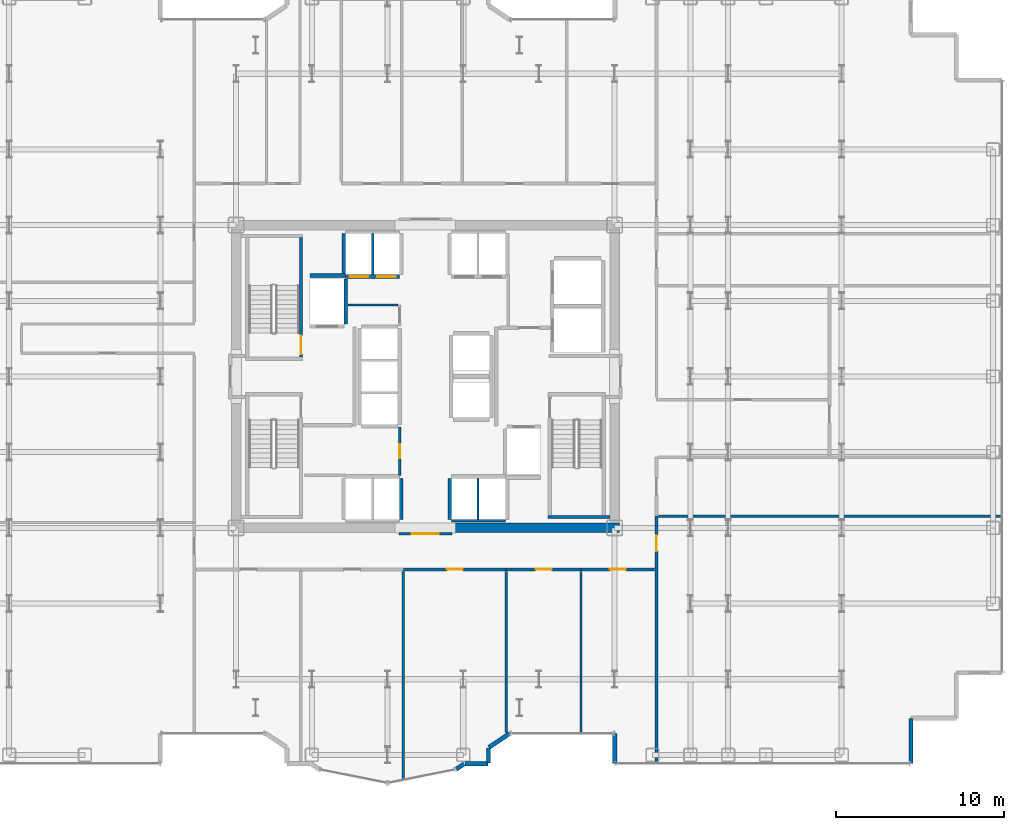
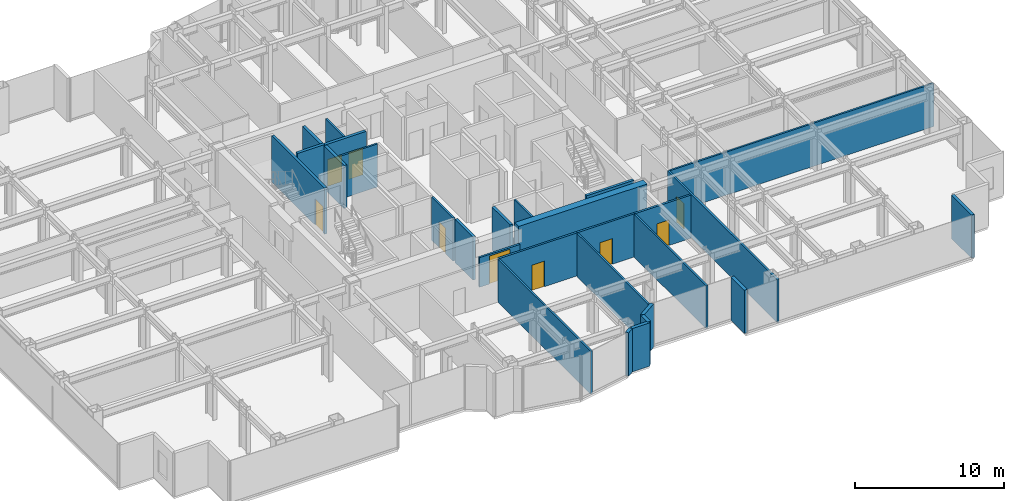
# One storey, part 21 of 26: 29 walls, 9 doors, 9 openings.
"""IFC4 building model written with IfcOpenShell, lengths in metres."""

from ifc_helpers import new_model, si_unit, direction, frame, frame_2d, origin, place, context, subcontext, project, spatial, rectangle, extrude, source, transform, mapped, material, layer, layer_set, type_object, element, fill, save


model = new_model("IFC4")

# Units and contexts
model_context = context("Model", 3, precision=1e-05, world=origin(), true_north=direction((0.0, 1.0)))
body_context = subcontext(model_context, "Body", "Model", "MODEL_VIEW")
ifc_project = project(units=[si_unit("LENGTHUNIT", "METRE"), si_unit("AREAUNIT", "SQUARE_METRE"), si_unit("VOLUMEUNIT", "CUBIC_METRE"), si_unit("PLANEANGLEUNIT", "RADIAN"), si_unit("MASSUNIT", "GRAM", prefix="KILO")], contexts=[model_context])

# Site, building, storey
site_placement = place(None, origin())
site = spatial("IfcSite", under=ifc_project, at=site_placement, CompositionType="ELEMENT")
building_placement = place(site_placement, origin())
building = spatial("IfcBuilding", under=site, at=building_placement, Name="Nefas-Gora Pilgrimage Tower", CompositionType="ELEMENT")
storey_placement = place(building_placement, frame((0.0, 0.0, 128.800048828125)))
storey = spatial("IfcBuildingStorey", under=building, at=storey_placement, Name="L31", CompositionType="ELEMENT", Elevation=128.800048828125)

# Walls
ifc_material_1 = material(Name="Concrete C60/75", Category="concrete")
ifc_layer_1 = layer(ifc_material_1, 0.550048828125)
ifc_layer_set_1 = layer_set([ifc_layer_1], Name="Concrete C60/75")
wall_type_1 = type_object("IfcWallType", Name="SW-CORE-550", PredefinedType="SHEAR", material=ifc_layer_set_1)
shared_shape_1 = source(origin(), body_context, "Body", "SweptSolid", [
    extrude(rectangle(XDim=9.974853515625, YDim=0.550048828125, at=frame_2d((4.9873046875, 0.0))), origin(), (0.0, 0.0, 1.0), 3.800048828125),
])
wall_1_placement = place(storey_placement, frame((1.550048828125, -9.0, 0.0), z_axis=(0.0, 0.0, 1.0), x_axis=(1.0, 0.0, 0.0)))
element("IfcWall", 1, at=wall_1_placement, inside=storey, type_object=wall_type_1, Name="L31 Core Shear Wall S-East", PredefinedType="SHEAR", context=body_context, shape_type="MappedRepresentation", body=[
    mapped(shared_shape_1, transform((0.0, 0.0, 0.0), x_axis=(1.0, 0.0, 0.0), y_axis=(0.0, 1.0, 0.0), z_axis=(0.0, 0.0, 1.0), scale=1.0)),
])
ifc_material_2 = material(Name="Precast concrete C40/50", Category="concrete")
ifc_layer_2 = layer(ifc_material_2, 0.260009765625)
ifc_layer_set_2 = layer_set([ifc_layer_2], Name="Precast concrete C40/50")
wall_type_2 = type_object("IfcWallType", Name="EW-PORTAL-260", PredefinedType="SOLIDWALL", material=ifc_layer_set_2)
shared_shape_2 = source(origin(), body_context, "Body", "SweptSolid", [
    extrude(rectangle(XDim=1.800048828125, YDim=0.260009765625, at=frame_2d((0.89990234375, 0.0))), origin(), (0.0, 0.0, 1.0), 3.550048828125),
])
wall_2_placement = place(storey_placement, frame((11.25, -21.219970703125, 0.0), z_axis=(0.0, 0.0, 1.0), x_axis=(0.0, -1.0, 0.0)))
element("IfcWall", 2, at=wall_2_placement, inside=storey, type_object=wall_type_2, Name="L31 Lobe Shoulder Precast Spandrel Pier 1", PredefinedType="SOLIDWALL", context=body_context, shape_type="MappedRepresentation", body=[
    mapped(shared_shape_2, transform((0.0, 0.0, 0.0), x_axis=(1.0, 0.0, 0.0), y_axis=(0.0, 1.0, 0.0), z_axis=(0.0, 0.0, 1.0), scale=1.0)),
])
ifc_material_3 = material(Name="Precast concrete C45/55", Category="concrete")
ifc_layer_3 = layer(ifc_material_3, 0.239990234375)
ifc_layer_set_3 = layer_set([ifc_layer_3], Name="Precast concrete C45/55")
wall_type_3 = type_object("IfcWallType", Name="EW-SERR-240", PredefinedType="SHEAR", material=ifc_layer_set_3)
shared_shape_3 = source(origin(), body_context, "Body", "SweptSolid", [
    extrude(rectangle(XDim=2.699951171875, YDim=0.239990234375, at=frame_2d((1.35009765625, 0.0))), origin(), (0.0, 0.0, 1.0), 3.550048828125),
])
wall_3_placement = place(storey_placement, frame((28.8701171875, -23.02001953125, 0.0), z_axis=(0.0, 0.0, 1.0), x_axis=(0.0, 1.0, 0.0)))
element("IfcWall", 3, at=wall_3_placement, inside=storey, type_object=wall_type_3, Name="L31 Serrated Corner Shear Pier Wall 2", PredefinedType="SHEAR", context=body_context, shape_type="MappedRepresentation", body=[
    mapped(shared_shape_3, transform((0.0, 0.0, 0.0), x_axis=(1.0, 0.0, 0.0), y_axis=(0.0, 1.0, 0.0), z_axis=(0.0, 0.0, 1.0), scale=1.0)),
])
shared_shape_4 = source(origin(), body_context, "Body", "SweptSolid", [
    extrude(rectangle(XDim=1.468994140625, YDim=0.260009765625, at=frame_2d((0.734375, 0.0))), origin(), (0.0, 0.0, 1.0), 3.550048828125),
])
wall_4_placement = place(storey_placement, frame((3.773193359375, -22.0517578125, 0.0), z_axis=(0.0, 0.0, 1.0), x_axis=(0.831461760506, 0.555581983884, 0.0)))
element("IfcWall", 4, at=wall_4_placement, inside=storey, type_object=wall_type_2, Name="L31 Lobe Shoulder Precast Spandrel Pier 36", PredefinedType="SOLIDWALL", context=body_context, shape_type="MappedRepresentation", body=[
    mapped(shared_shape_4, transform((0.0, 0.0, 0.0), x_axis=(1.0, 0.0, 0.0), y_axis=(0.0, 1.0, 0.0), z_axis=(0.0, 0.0, 1.0), scale=1.0)),
])
shared_shape_5 = source(origin(), body_context, "Body", "SweptSolid", [
    extrude(rectangle(XDim=0.896728515625, YDim=0.260009765625, at=frame_2d((0.4482421875, 0.0))), origin(), (0.0, 0.0, 1.0), 3.550048828125),
])
wall_5_placement = place(storey_placement, frame((3.75, -22.991943359375, 0.0), z_axis=(0.0, 0.0, 1.0), x_axis=(0.0, 1.0, 0.0)))
element("IfcWall", 5, at=wall_5_placement, inside=storey, type_object=wall_type_2, Name="L31 Lobe Shoulder Precast Spandrel Pier 35", PredefinedType="SOLIDWALL", context=body_context, shape_type="MappedRepresentation", body=[
    mapped(shared_shape_5, transform((0.0, 0.0, 0.0), x_axis=(1.0, 0.0, 0.0), y_axis=(0.0, 1.0, 0.0), z_axis=(0.0, 0.0, 1.0), scale=1.0)),
])
shared_shape_6 = source(origin(), body_context, "Body", "SweptSolid", [
    extrude(rectangle(XDim=1.369873046875, YDim=0.260009765625, at=frame_2d((0.68505859375, 0.0))), origin(), (0.0, 0.0, 1.0), 3.550048828125),
])
wall_6_placement = place(storey_placement, frame((2.35205078125, -23.02001953125, 0.0), z_axis=(0.0, 0.0, 1.0), x_axis=(1.0, 0.0, 0.0)))
element("IfcWall", 6, at=wall_6_placement, inside=storey, type_object=wall_type_2, Name="L31 Lobe Shoulder Precast Spandrel Pier 34", PredefinedType="SOLIDWALL", context=body_context, shape_type="MappedRepresentation", body=[
    mapped(shared_shape_6, transform((0.0, 0.0, 0.0), x_axis=(1.0, 0.0, 0.0), y_axis=(0.0, 1.0, 0.0), z_axis=(0.0, 0.0, 1.0), scale=1.0)),
])
shared_shape_7 = source(origin(), body_context, "Body", "SweptSolid", [
    extrude(rectangle(XDim=0.5654296875, YDim=0.260009765625, at=frame_2d((0.28271484375, 0.0))), origin(), (0.0, 0.0, 1.0), 3.550048828125),
])
wall_7_placement = place(storey_placement, frame((1.83056640625, -23.349609375, 0.0), z_axis=(0.0, 0.0, 1.0), x_axis=(0.831651492666, 0.555297933317, 0.0)))
element("IfcWall", 7, at=wall_7_placement, inside=storey, type_object=wall_type_2, Name="L31 Lobe Shoulder Precast Spandrel Pier 33", PredefinedType="SOLIDWALL", context=body_context, shape_type="MappedRepresentation", body=[
    mapped(shared_shape_7, transform((0.0, 0.0, 0.0), x_axis=(1.0, 0.0, 0.0), y_axis=(0.0, 1.0, 0.0), z_axis=(0.0, 0.0, 1.0), scale=1.0)),
])

# Wall, opening, door
ifc_material_4 = material(Name="Concrete C45/55", Category="concrete")
ifc_layer_4 = layer(ifc_material_4, 0.199951171875)
ifc_layer_set_4 = layer_set([ifc_layer_4], Name="Concrete C45/55")
wall_type_4 = type_object("IfcWallType", Name="IW-STAIR-200", PredefinedType="SOLIDWALL", material=ifc_layer_set_4)
shared_shape_8 = source(origin(), body_context, "Body", "SweptSolid", [
    extrude(rectangle(XDim=7.10009765625, YDim=0.199951171875, at=frame_2d((3.550048828125, 0.0))), origin(), (0.0, 0.0, 1.0), 3.800048828125),
])
wall_8_placement = place(storey_placement, frame((-7.39990234375, 1.14990234375, 0.0), z_axis=(0.0, 0.0, 1.0), x_axis=(0.0, 1.0, 0.0)))
wall_8 = element("IfcWall", 8, at=wall_8_placement, inside=storey, type_object=wall_type_4, Name="L31 Stairwell Shear Wall ST-01-left", PredefinedType="SOLIDWALL", context=body_context, shape_type="MappedRepresentation", body=[
    mapped(shared_shape_8, transform((0.0, 0.0, 0.0), x_axis=(1.0, 0.0, 0.0), y_axis=(0.0, 1.0, 0.0), z_axis=(0.0, 0.0, 1.0), scale=1.0)),
])
opening_1_placement = place(wall_8_placement, frame((0.179931640625, 0.0, 0.0)))
opening_1 = element("IfcOpeningElement", 9, at=opening_1_placement, cuts=wall_8, Name="Opening ID-ST1", PredefinedType="OPENING", context=body_context, shape_type="SweptSolid", body=[
    extrude(rectangle(XDim=1.10009765625, YDim=2.14990234375, at=frame_2d((0.550048828125, 1.074951171875))), frame((0.0, 0.10986328125, 0.0), z_axis=(0.0, -1.0, 0.0), x_axis=(1.0, 0.0, 0.0)), (0.0, 0.0, 1.0), 0.219970703125),
])
ifc_material_5 = material(Name="Painted galvanised steel fire stair door", Category="steel")
door_type_1 = type_object("IfcDoorType", Name="DR-INT-STAIR-1100", OperationType="NOTDEFINED", PredefinedType="DOOR", material=ifc_material_5)
shared_shape_9 = source(origin(), body_context, "Body", "SweptSolid", [
    extrude(rectangle(XDim=1.10009765625, YDim=2.14990234375, at=frame_2d((0.550048828125, 1.074951171875))), frame((0.0, 0.02490234375, 0.0), z_axis=(0.0, -1.0, 0.0), x_axis=(1.0, 0.0, 0.0)), (0.0, 0.0, 1.0), 0.050048828125),
])
door_1_placement = place(opening_1_placement, origin())
door_1 = element("IfcDoor", 10, at=door_1_placement, inside=storey, type_object=door_type_1, Name="L31 Protected Exit Stair Door ST-01", OperationType="SINGLE_SWING_LEFT", OverallHeight=2.14990234375, OverallWidth=1.10009765625, PredefinedType="DOOR", context=body_context, shape_type="MappedRepresentation", body=[
    mapped(shared_shape_9, transform((0.0, 0.0, 0.0), x_axis=(1.0, 0.0, 0.0), y_axis=(0.0, 1.0, 0.0), z_axis=(0.0, 0.0, 1.0), scale=1.0)),
])
fill(opening_1, door_1)

# Walls
shared_shape_10 = source(origin(), body_context, "Body", "SweptSolid", [
    extrude(rectangle(XDim=3.679931640625, YDim=0.199951171875, at=frame_2d((1.83984375, 0.0))), origin(), (0.0, 0.0, 1.0), 3.800048828125),
])
wall_9_placement = place(storey_placement, frame((7.300048828125, -8.35009765625, 0.0), z_axis=(0.0, 0.0, 1.0), x_axis=(1.0, 0.0, 0.0)))
element("IfcWall", 11, at=wall_9_placement, inside=storey, type_object=wall_type_4, Name="L31 Stairwell Shear Wall ST-02-far", PredefinedType="SOLIDWALL", context=body_context, shape_type="MappedRepresentation", body=[
    mapped(shared_shape_10, transform((0.0, 0.0, 0.0), x_axis=(1.0, 0.0, 0.0), y_axis=(0.0, 1.0, 0.0), z_axis=(0.0, 0.0, 1.0), scale=1.0)),
])
ifc_material_6 = material(Name="Concrete C40/50", Category="concrete")
ifc_layer_5 = layer(ifc_material_6, 0.219970703125)
ifc_layer_set_5 = layer_set([ifc_layer_5], Name="Concrete C40/50")
wall_type_5 = type_object("IfcWallType", Name="IW-SHAFT-220", PredefinedType="SOLIDWALL", material=ifc_layer_set_5)
shared_shape_11 = source(origin(), body_context, "Body", "SweptSolid", [
    extrude(rectangle(XDim=2.679931640625, YDim=0.219970703125, at=frame_2d((1.33984375, 0.0))), origin(), (0.0, 0.0, 1.0), 3.534912109375),
])
wall_10_placement = place(storey_placement, frame((-4.739990234375, 3.110107421875, 0.0), z_axis=(0.0, 0.0, 1.0), x_axis=(0.0, 1.0, 0.0)))
element("IfcWall", 12, at=wall_10_placement, inside=storey, type_object=wall_type_5, Name="L31 Hoistway Wall FFL-01-E", PredefinedType="SOLIDWALL", context=body_context, shape_type="MappedRepresentation", body=[
    mapped(shared_shape_11, transform((0.0, 0.0, 0.0), x_axis=(1.0, 0.0, 0.0), y_axis=(0.0, 1.0, 0.0), z_axis=(0.0, 0.0, 1.0), scale=1.0)),
])

# Wall, openings, doors
shared_shape_12 = source(origin(), body_context, "Body", "SweptSolid", [
    extrude(rectangle(XDim=3.199951171875, YDim=0.219970703125, at=frame_2d((1.60009765625, 0.0))), origin(), (0.0, 0.0, 1.0), 3.534912109375),
])
wall_11_placement = place(storey_placement, frame((-4.75, 5.93994140625, 0.0), z_axis=(0.0, 0.0, 1.0), x_axis=(1.0, 0.0, 0.0)))
wall_11 = element("IfcWall", 13, at=wall_11_placement, inside=storey, type_object=wall_type_5, Name="L31 Hoistway Wall PL1-W-S", PredefinedType="SOLIDWALL", context=body_context, shape_type="MappedRepresentation", body=[
    mapped(shared_shape_12, transform((0.0, 0.0, 0.0), x_axis=(1.0, 0.0, 0.0), y_axis=(0.0, 1.0, 0.0), z_axis=(0.0, 0.0, 1.0), scale=1.0)),
])
opening_2_placement = place(wall_11_placement, frame((0.25, 0.0, 0.0)))
opening_2 = element("IfcOpeningElement", 14, at=opening_2_placement, cuts=wall_11, Name="Opening LD-01", PredefinedType="OPENING", context=body_context, shape_type="SweptSolid", body=[
    extrude(rectangle(XDim=1.10009765625, YDim=2.199951171875, at=frame_2d((0.550048828125, 1.10009765625))), frame((0.0, 0.119873046875, 0.0), z_axis=(0.0, -1.0, 0.0), x_axis=(1.0, 0.0, 0.0)), (0.0, 0.0, 1.0), 0.239990234375),
])
opening_3_placement = place(wall_11_placement, frame((1.875, 0.0, 0.0)))
opening_3 = element("IfcOpeningElement", 15, at=opening_3_placement, cuts=wall_11, Name="Opening LD-01", PredefinedType="OPENING", context=body_context, shape_type="SweptSolid", body=[
    extrude(rectangle(XDim=1.10009765625, YDim=2.199951171875, at=frame_2d((0.550048828125, 1.10009765625))), frame((0.0, 0.119873046875, 0.0), z_axis=(0.0, -1.0, 0.0), x_axis=(1.0, 0.0, 0.0)), (0.0, 0.0, 1.0), 0.239990234375),
])
ifc_material_7 = material(Name="Brushed stainless sliding lift landing door")
door_type_2 = type_object("IfcDoorType", Name="DR-LIFT-PASS-1100", OperationType="DOUBLE_DOOR_SLIDING", PredefinedType="DOOR", material=ifc_material_7)
shared_shape_13 = source(origin(), body_context, "Body", "SweptSolid", [
    extrude(rectangle(XDim=1.10009765625, YDim=2.199951171875, at=frame_2d((0.550048828125, 1.10009765625))), frame((0.0, 0.02490234375, 0.0), z_axis=(0.0, -1.0, 0.0), x_axis=(1.0, 0.0, 0.0)), (0.0, 0.0, 1.0), 0.050048828125),
])
door_2_placement = place(opening_2_placement, origin())
door_2 = element("IfcDoor", 16, at=door_2_placement, inside=storey, type_object=door_type_2, Name="L31 Sliding Lift Landing Door PL1-01", OperationType="DOUBLE_DOOR_SLIDING", OverallHeight=2.199951171875, OverallWidth=1.10009765625, PredefinedType="DOOR", context=body_context, shape_type="MappedRepresentation", body=[
    mapped(shared_shape_13, transform((0.0, 0.0, 0.0), x_axis=(1.0, 0.0, 0.0), y_axis=(0.0, 1.0, 0.0), z_axis=(0.0, 0.0, 1.0), scale=1.0)),
])
fill(opening_2, door_2)
door_3_placement = place(opening_3_placement, origin())
door_3 = element("IfcDoor", 17, at=door_3_placement, inside=storey, type_object=door_type_2, Name="L31 Sliding Lift Landing Door PL1-02", OperationType="DOUBLE_DOOR_SLIDING", OverallHeight=2.199951171875, OverallWidth=1.10009765625, PredefinedType="DOOR", context=body_context, shape_type="MappedRepresentation", body=[
    mapped(shared_shape_13, transform((0.0, 0.0, 0.0), x_axis=(1.0, 0.0, 0.0), y_axis=(0.0, 1.0, 0.0), z_axis=(0.0, 0.0, 1.0), scale=1.0)),
])
fill(opening_3, door_3)

# Walls
ifc_material_8 = material(Name="Gypsum acoustic stud partition")
ifc_layer_6 = layer(ifc_material_8, 0.159912109375)
ifc_layer_set_6 = layer_set([ifc_layer_6], Name="Gypsum acoustic stud partition")
wall_type_6 = type_object("IfcWallType", Name="IW-CORR-160", PredefinedType="PARTITIONING", material=ifc_layer_set_6)
shared_shape_14 = source(origin(), body_context, "Body", "SweptSolid", [
    extrude(rectangle(XDim=3.199951171875, YDim=0.159912109375, at=frame_2d((1.60009765625, 0.0))), origin(), (0.0, 0.0, 1.0), 2.425048828125),
])
wall_12_placement = place(storey_placement, frame((1.550048828125, -8.580078125, 0.0), z_axis=(0.0, 0.0, 1.0), x_axis=(1.0, 0.0, 0.0)))
element("IfcWall", 18, at=wall_12_placement, inside=storey, type_object=wall_type_6, Name="L31 Hoistway Wall PL2-E-S", PredefinedType="PARTITIONING", context=body_context, shape_type="MappedRepresentation", body=[
    mapped(shared_shape_14, transform((0.0, 0.0, 0.0), x_axis=(1.0, 0.0, 0.0), y_axis=(0.0, 1.0, 0.0), z_axis=(0.0, 0.0, 1.0), scale=1.0)),
])
shared_shape_15 = source(origin(), body_context, "Body", "SweptSolid", [
    extrude(rectangle(XDim=2.429931640625, YDim=0.219970703125, at=frame_2d((1.21484375, 0.0))), origin(), (0.0, 0.0, 1.0), 3.534912109375),
])
for number, where, z_axis, x_axis, name in (
    (19, (-4.860107421875, 8.489990234375, 0.0), (0.0, 0.0, 1.0), (0.0, -1.0, 0.0), "L31 Hoistway Wall PL1-W-W"),
    (20, (-1.43994140625, -8.489990234375, 0.0), (0.0, 0.0, 1.0), (0.0, 1.0, 0.0), "L31 Hoistway Wall PL2-W-E"),
    (21, (1.43994140625, -6.06005859375, 0.0), (0.0, 0.0, 1.0), (0.0, -1.0, 0.0), "L31 Hoistway Wall PL2-E-W"),
):
    element("IfcWall", number, at=place(storey_placement, frame(where, z_axis=z_axis, x_axis=x_axis)), inside=storey, type_object=wall_type_5, Name=name, PredefinedType="SOLIDWALL", context=body_context, shape_type="MappedRepresentation", body=[
        mapped(shared_shape_15, transform((0.0, 0.0, 0.0), x_axis=(1.0, 0.0, 0.0), y_axis=(0.0, 1.0, 0.0), z_axis=(0.0, 0.0, 1.0), scale=1.0)),
    ])
ifc_material_9 = material(Name="Gypsum twin-stud partition")
ifc_layer_7 = layer(ifc_material_9, 0.139892578125)
ifc_layer_set_7 = layer_set([ifc_layer_7], Name="Gypsum twin-stud partition")
wall_type_7 = type_object("IfcWallType", Name="IW-UNIT-140", PredefinedType="PARTITIONING", material=ifc_layer_set_7)
shared_shape_16 = source(origin(), body_context, "Body", "SweptSolid", [
    extrude(rectangle(XDim=2.429931640625, YDim=0.139892578125, at=frame_2d((1.21484375, 0.0))), origin(), (0.0, 0.0, 1.0), 3.534912109375),
])
for number, where, z_axis, x_axis, name in (
    (22, (-3.125, 6.06005859375, 0.0), (0.0, 0.0, 1.0), (0.0, 1.0, 0.0), "L31 Hoistway Wall PL1-W-DIV"),
    (23, (3.125, -8.489990234375, 0.0), (0.0, 0.0, 1.0), (0.0, 1.0, 0.0), "L31 Hoistway Wall PL2-E-DIV"),
):
    element("IfcWall", number, at=place(storey_placement, frame(where, z_axis=z_axis, x_axis=x_axis)), inside=storey, type_object=wall_type_7, Name=name, PredefinedType="PARTITIONING", context=body_context, shape_type="MappedRepresentation", body=[
        mapped(shared_shape_16, transform((0.0, 0.0, 0.0), x_axis=(1.0, 0.0, 0.0), y_axis=(0.0, 1.0, 0.0), z_axis=(0.0, 0.0, 1.0), scale=1.0)),
    ])
shared_shape_17 = source(origin(), body_context, "Body", "SweptSolid", [
    extrude(rectangle(XDim=2.09521484375, YDim=0.219970703125, at=frame_2d((1.047607421875, 0.0))), origin(), (0.0, 0.0, 1.0), 3.534912109375),
])
wall_13_placement = place(storey_placement, frame((-6.85009765625, 6.0, 0.0), z_axis=(0.0, 0.0, 1.0), x_axis=(1.0, 0.0, 0.0)))
element("IfcWall", 24, at=wall_13_placement, inside=storey, type_object=wall_type_5, Name="L31 Riser Shaft Wall 1", PredefinedType="SOLIDWALL", context=body_context, shape_type="MappedRepresentation", body=[
    mapped(shared_shape_17, transform((0.0, 0.0, 0.0), x_axis=(1.0, 0.0, 0.0), y_axis=(0.0, 1.0, 0.0), z_axis=(0.0, 0.0, 1.0), scale=1.0)),
])
shared_shape_18 = source(origin(), body_context, "Body", "SweptSolid", [
    extrude(rectangle(XDim=2.9501953125, YDim=0.139892578125, at=frame_2d((1.47509765625, 0.0))), origin(), (0.0, 0.0, 1.0), 3.534912109375),
])
wall_14_placement = place(storey_placement, frame((-4.590087890625, 4.25, 0.0), z_axis=(0.0, 0.0, 1.0), x_axis=(1.0, 0.0, 0.0)))
element("IfcWall", 25, at=wall_14_placement, inside=storey, type_object=wall_type_7, Name="L31 Housekeeping and Linen Store Partition Wall 17", PredefinedType="PARTITIONING", context=body_context, shape_type="MappedRepresentation", body=[
    mapped(shared_shape_18, transform((0.0, 0.0, 0.0), x_axis=(1.0, 0.0, 0.0), y_axis=(0.0, 1.0, 0.0), z_axis=(0.0, 0.0, 1.0), scale=1.0)),
])

# Wall, opening, door
shared_shape_19 = source(origin(), body_context, "Body", "SweptSolid", [
    extrude(rectangle(XDim=2.8798828125, YDim=0.159912109375, at=frame_2d((1.43994140625, 0.0))), origin(), (0.0, 0.0, 1.0), 3.534912109375),
])
wall_15_placement = place(storey_placement, frame((-1.52001953125, -5.889892578125, 0.0), z_axis=(0.0, 0.0, 1.0), x_axis=(0.0, 1.0, 0.0)))
wall_15 = element("IfcWall", 26, at=wall_15_placement, inside=storey, type_object=wall_type_6, Name="L31 Pilgrim Baggage and Gear Vault Wall 18", PredefinedType="PARTITIONING", context=body_context, shape_type="MappedRepresentation", body=[
    mapped(shared_shape_19, transform((0.0, 0.0, 0.0), x_axis=(1.0, 0.0, 0.0), y_axis=(0.0, 1.0, 0.0), z_axis=(0.0, 0.0, 1.0), scale=1.0)),
])
opening_4_placement = place(wall_15_placement, frame((1.014892578125, 0.0, 0.0)))
opening_4 = element("IfcOpeningElement", 27, at=opening_4_placement, cuts=wall_15, Name="Opening ID-BT1", PredefinedType="OPENING", context=body_context, shape_type="SweptSolid", body=[
    extrude(rectangle(XDim=0.85009765625, YDim=2.10009765625, at=frame_2d((0.425048828125, 1.050048828125))), frame((0.0, 0.08984375, 0.0), z_axis=(0.0, -1.0, 0.0), x_axis=(1.0, 0.0, 0.0)), (0.0, 0.0, 1.0), 0.179931640625),
])
ifc_material_10 = material(Name="Moisture-resistant fire-rated timber door", Category="wood")
door_type_3 = type_object("IfcDoorType", Name="DR-INT-BATH-850", OperationType="NOTDEFINED", PredefinedType="DOOR", material=ifc_material_10)
shared_shape_20 = source(origin(), body_context, "Body", "SweptSolid", [
    extrude(rectangle(XDim=0.85009765625, YDim=2.10009765625, at=frame_2d((0.425048828125, 1.050048828125))), frame((0.0, 0.02490234375, 0.0), z_axis=(0.0, -1.0, 0.0), x_axis=(1.0, 0.0, 0.0)), (0.0, 0.0, 1.0), 0.050048828125),
])
door_4_placement = place(opening_4_placement, origin())
door_4 = element("IfcDoor", 28, at=door_4_placement, inside=storey, type_object=door_type_3, Name="L31 Pilgrim Baggage and Gear Vault Door 7", OperationType="SINGLE_SWING_LEFT", OverallHeight=2.10009765625, OverallWidth=0.85009765625, PredefinedType="DOOR", context=body_context, shape_type="MappedRepresentation", body=[
    mapped(shared_shape_20, transform((0.0, 0.0, 0.0), x_axis=(1.0, 0.0, 0.0), y_axis=(0.0, 1.0, 0.0), z_axis=(0.0, 0.0, 1.0), scale=1.0)),
])
fill(opening_4, door_4)

# Walls
shared_shape_21 = source(origin(), body_context, "Body", "SweptSolid", [
    extrude(rectangle(XDim=12.415771484375, YDim=0.139892578125, at=frame_2d((6.2080078125, 0.0))), origin(), (0.0, 0.0, 1.0), 3.534912109375),
])
wall_16_placement = place(storey_placement, frame((-1.31005859375, -24.005859375, 0.0), z_axis=(0.0, 0.0, 1.0), x_axis=(0.0, 1.0, 0.0)))
element("IfcWall", 29, at=wall_16_placement, inside=storey, type_object=wall_type_7, Name="L31 Pilgrim Contemplative Lounge Partition Wall 55", PredefinedType="PARTITIONING", context=body_context, shape_type="MappedRepresentation", body=[
    mapped(shared_shape_21, transform((0.0, 0.0, 0.0), x_axis=(1.0, 0.0, 0.0), y_axis=(0.0, 1.0, 0.0), z_axis=(0.0, 0.0, 1.0), scale=1.0)),
])
shared_shape_22 = source(origin(), body_context, "Body", "SweptSolid", [
    extrude(rectangle(XDim=9.64990234375, YDim=0.139892578125, at=frame_2d((4.824951171875, 0.0))), origin(), (0.0, 0.0, 1.0), 3.534912109375),
])
wall_17_placement = place(storey_placement, frame((9.25, -21.239990234375, 0.0), z_axis=(0.0, 0.0, 1.0), x_axis=(0.0, 1.0, 0.0)))
element("IfcWall", 30, at=wall_17_placement, inside=storey, type_object=wall_type_7, Name="L31 Pilgrim Contemplative Lounge Partition Wall 59", PredefinedType="PARTITIONING", context=body_context, shape_type="MappedRepresentation", body=[
    mapped(shared_shape_22, transform((0.0, 0.0, 0.0), x_axis=(1.0, 0.0, 0.0), y_axis=(0.0, 1.0, 0.0), z_axis=(0.0, 0.0, 1.0), scale=1.0)),
])
shared_shape_23 = source(origin(), body_context, "Body", "SweptSolid", [
    extrude(rectangle(XDim=20.429931640625, YDim=0.139892578125, at=frame_2d((10.21484375, 0.0))), origin(), (0.0, 0.0, 1.0), 3.534912109375),
])
wall_18_placement = place(storey_placement, frame((13.860107421875, -8.304931640625, 0.0), z_axis=(0.0, 0.0, 1.0), x_axis=(1.0, 0.0, 0.0)))
element("IfcWall", 31, at=wall_18_placement, inside=storey, type_object=wall_type_7, Name="L31 Pilgrim Tea and Beverage Pantry Partition Wall 33", PredefinedType="PARTITIONING", context=body_context, shape_type="MappedRepresentation", body=[
    mapped(shared_shape_23, transform((0.0, 0.0, 0.0), x_axis=(1.0, 0.0, 0.0), y_axis=(0.0, 1.0, 0.0), z_axis=(0.0, 0.0, 1.0), scale=1.0)),
])

# Wall, opening, door
shared_shape_24 = source(origin(), body_context, "Body", "SweptSolid", [
    extrude(rectangle(XDim=3.16015625, YDim=0.159912109375, at=frame_2d((1.580078125, 0.0))), origin(), (0.0, 0.0, 1.0), 2.425048828125),
])
wall_19_placement = place(storey_placement, frame((-1.580078125, -9.35009765625, 0.0), z_axis=(0.0, 0.0, 1.0), x_axis=(1.0, 0.0, 0.0)))
wall_19 = element("IfcWall", 32, at=wall_19_placement, inside=storey, type_object=wall_type_6, Name="L31 Central Lift Lobby South Portal Wall 14", PredefinedType="PARTITIONING", context=body_context, shape_type="MappedRepresentation", body=[
    mapped(shared_shape_24, transform((0.0, 0.0, 0.0), x_axis=(1.0, 0.0, 0.0), y_axis=(0.0, 1.0, 0.0), z_axis=(0.0, 0.0, 1.0), scale=1.0)),
])
opening_5_placement = place(wall_19_placement, frame((0.780029296875, 0.0, 0.0)))
opening_5 = element("IfcOpeningElement", 33, at=opening_5_placement, cuts=wall_19, Name="Opening ID-HL1", PredefinedType="OPENING", context=body_context, shape_type="SweptSolid", body=[
    extrude(rectangle(XDim=1.60009765625, YDim=2.300048828125, at=frame_2d((0.800048828125, 1.14990234375))), frame((0.0, 0.08984375, 0.0), z_axis=(0.0, -1.0, 0.0), x_axis=(1.0, 0.0, 0.0)), (0.0, 0.0, 1.0), 0.179931640625),
])
ifc_material_11 = material(Name="Double acoustic timber assembly hall door", Category="wood")
door_type_4 = type_object("IfcDoorType", Name="DR-INT-HALL-1600", OperationType="DOUBLE_DOOR_SINGLE_SWING", PredefinedType="DOOR", material=ifc_material_11)
shared_shape_25 = source(origin(), body_context, "Body", "SweptSolid", [
    extrude(rectangle(XDim=1.60009765625, YDim=2.300048828125, at=frame_2d((0.800048828125, 1.14990234375))), frame((0.0, 0.02490234375, 0.0), z_axis=(0.0, -1.0, 0.0), x_axis=(1.0, 0.0, 0.0)), (0.0, 0.0, 1.0), 0.050048828125),
])
door_5_placement = place(opening_5_placement, origin())
door_5 = element("IfcDoor", 34, at=door_5_placement, inside=storey, type_object=door_type_4, Name="L31 Central Lift Lobby South Portal Door 5", OperationType="DOUBLE_DOOR_SINGLE_SWING", OverallHeight=2.300048828125, OverallWidth=1.60009765625, PredefinedType="DOOR", context=body_context, shape_type="MappedRepresentation", body=[
    mapped(shared_shape_25, transform((0.0, 0.0, 0.0), x_axis=(1.0, 0.0, 0.0), y_axis=(0.0, 1.0, 0.0), z_axis=(0.0, 0.0, 1.0), scale=1.0)),
])
fill(opening_5, door_5)

shared_shape_26 = source(origin(), body_context, "Body", "SweptSolid", [
    extrude(rectangle(XDim=14.7451171875, YDim=0.159912109375, at=frame_2d((7.37255859375, 0.0))), origin(), (0.0, 0.0, 1.0), 3.534912109375),
])
wall_20_placement = place(storey_placement, frame((13.739990234375, -23.0400390625, 0.0), z_axis=(0.0, 0.0, 1.0), x_axis=(0.0, 1.0, 0.0)))
wall_20 = element("IfcWall", 35, at=wall_20_placement, inside=storey, type_object=wall_type_6, Name="L31 Pilgrim Tea and Beverage Pantry Partition Wall 32", PredefinedType="PARTITIONING", context=body_context, shape_type="MappedRepresentation", body=[
    mapped(shared_shape_26, transform((0.0, 0.0, 0.0), x_axis=(1.0, 0.0, 0.0), y_axis=(0.0, 1.0, 0.0), z_axis=(0.0, 0.0, 1.0), scale=1.0)),
])
opening_6_placement = place(wall_20_placement, frame((12.66259765625, 0.0, 0.0)))
opening_6 = element("IfcOpeningElement", 36, at=opening_6_placement, cuts=wall_20, Name="Opening ID-GR1", PredefinedType="OPENING", context=body_context, shape_type="SweptSolid", body=[
    extrude(rectangle(XDim=0.949951171875, YDim=2.10009765625, at=frame_2d((0.47509765625, 1.050048828125))), frame((0.0, 0.08984375, 0.0), z_axis=(0.0, -1.0, 0.0), x_axis=(1.0, 0.0, 0.0)), (0.0, 0.0, 1.0), 0.179931640625),
])
ifc_material_12 = material(Name="Solid core oak fire-rated guest entrance door")
door_type_5 = type_object("IfcDoorType", Name="DR-INT-GUEST-950", OperationType="NOTDEFINED", PredefinedType="DOOR", material=ifc_material_12)
shared_shape_27 = source(origin(), body_context, "Body", "SweptSolid", [
    extrude(rectangle(XDim=0.949951171875, YDim=2.10009765625, at=frame_2d((0.47509765625, 1.050048828125))), frame((0.0, 0.02490234375, 0.0), z_axis=(0.0, -1.0, 0.0), x_axis=(1.0, 0.0, 0.0)), (0.0, 0.0, 1.0), 0.050048828125),
])
door_6_placement = place(opening_6_placement, origin())
door_6 = element("IfcDoor", 37, at=door_6_placement, inside=storey, type_object=door_type_5, Name="L31 Pilgrim Tea and Beverage Pantry Door 12", OperationType="SINGLE_SWING_RIGHT", OverallHeight=2.10009765625, OverallWidth=0.949951171875, PredefinedType="DOOR", context=body_context, shape_type="MappedRepresentation", body=[
    mapped(shared_shape_27, transform((0.0, 0.0, 0.0), x_axis=(1.0, 0.0, 0.0), y_axis=(0.0, 1.0, 0.0), z_axis=(0.0, 0.0, 1.0), scale=1.0)),
])
fill(opening_6, door_6)

shared_shape_28 = source(origin(), body_context, "Body", "SweptSolid", [
    extrude(rectangle(XDim=6.10498046875, YDim=0.159912109375, at=frame_2d((3.052490234375, 0.0))), origin(), (0.0, 0.0, 1.0), 3.534912109375),
])
wall_21_placement = place(storey_placement, frame((-1.300048828125, -11.469970703125, 0.0), z_axis=(0.0, 0.0, 1.0), x_axis=(1.0, 0.0, 0.0)))
wall_21 = element("IfcWall", 38, at=wall_21_placement, inside=storey, type_object=wall_type_6, Name="L31 Pilgrim Contemplative Lounge Partition Wall 56", PredefinedType="PARTITIONING", context=body_context, shape_type="MappedRepresentation", body=[
    mapped(shared_shape_28, transform((0.0, 0.0, 0.0), x_axis=(1.0, 0.0, 0.0), y_axis=(0.0, 1.0, 0.0), z_axis=(0.0, 0.0, 1.0), scale=1.0)),
])
opening_7_placement = place(wall_21_placement, frame((2.577392578125, 0.0, 0.0)))
opening_7 = element("IfcOpeningElement", 39, at=opening_7_placement, cuts=wall_21, Name="Opening ID-GR1", PredefinedType="OPENING", context=body_context, shape_type="SweptSolid", body=[
    extrude(rectangle(XDim=0.949951171875, YDim=2.10009765625, at=frame_2d((0.47509765625, 1.050048828125))), frame((0.0, 0.08984375, 0.0), z_axis=(0.0, -1.0, 0.0), x_axis=(1.0, 0.0, 0.0)), (0.0, 0.0, 1.0), 0.179931640625),
])
door_7_placement = place(opening_7_placement, origin())
door_7 = element("IfcDoor", 40, at=door_7_placement, inside=storey, type_object=door_type_5, Name="L31 Pilgrim Contemplative Lounge Door 25", OperationType="SINGLE_SWING_LEFT", OverallHeight=2.10009765625, OverallWidth=0.949951171875, PredefinedType="DOOR", context=body_context, shape_type="MappedRepresentation", body=[
    mapped(shared_shape_27, transform((0.0, 0.0, 0.0), x_axis=(1.0, 0.0, 0.0), y_axis=(0.0, 1.0, 0.0), z_axis=(0.0, 0.0, 1.0), scale=1.0)),
])
fill(opening_7, door_7)

# Wall
shared_shape_29 = source(origin(), body_context, "Body", "SweptSolid", [
    extrude(rectangle(XDim=9.576904296875, YDim=0.139892578125, at=frame_2d((4.78857421875, 0.0))), origin(), (0.0, 0.0, 1.0), 3.534912109375),
])
wall_22_placement = place(storey_placement, frame((4.794921875, -21.1669921875, 0.0), z_axis=(0.0, 0.0, 1.0), x_axis=(0.0, 1.0, 0.0)))
element("IfcWall", 41, at=wall_22_placement, inside=storey, type_object=wall_type_7, Name="L31 Pilgrim Contemplative Lounge Partition Wall 57", PredefinedType="PARTITIONING", context=body_context, shape_type="MappedRepresentation", body=[
    mapped(shared_shape_29, transform((0.0, 0.0, 0.0), x_axis=(1.0, 0.0, 0.0), y_axis=(0.0, 1.0, 0.0), z_axis=(0.0, 0.0, 1.0), scale=1.0)),
])

# Wall, opening, door
shared_shape_30 = source(origin(), body_context, "Body", "SweptSolid", [
    extrude(rectangle(XDim=4.465087890625, YDim=0.159912109375, at=frame_2d((2.232421875, 0.0))), origin(), (0.0, 0.0, 1.0), 3.534912109375),
])
wall_23_placement = place(storey_placement, frame((4.794921875, -11.469970703125, 0.0), z_axis=(0.0, 0.0, 1.0), x_axis=(1.0, 0.0, 0.0)))
wall_23 = element("IfcWall", 42, at=wall_23_placement, inside=storey, type_object=wall_type_6, Name="L31 Pilgrim Contemplative Lounge Partition Wall 58", PredefinedType="PARTITIONING", context=body_context, shape_type="MappedRepresentation", body=[
    mapped(shared_shape_30, transform((0.0, 0.0, 0.0), x_axis=(1.0, 0.0, 0.0), y_axis=(0.0, 1.0, 0.0), z_axis=(0.0, 0.0, 1.0), scale=1.0)),
])
opening_8_placement = place(wall_23_placement, frame((1.757568359375, 0.0, 0.0)))
opening_8 = element("IfcOpeningElement", 43, at=opening_8_placement, cuts=wall_23, Name="Opening ID-GR1", PredefinedType="OPENING", context=body_context, shape_type="SweptSolid", body=[
    extrude(rectangle(XDim=0.949951171875, YDim=2.10009765625, at=frame_2d((0.47509765625, 1.050048828125))), frame((0.0, 0.08984375, 0.0), z_axis=(0.0, -1.0, 0.0), x_axis=(1.0, 0.0, 0.0)), (0.0, 0.0, 1.0), 0.179931640625),
])
door_8_placement = place(opening_8_placement, origin())
door_8 = element("IfcDoor", 44, at=door_8_placement, inside=storey, type_object=door_type_5, Name="L31 Pilgrim Contemplative Lounge Door 26", OperationType="SINGLE_SWING_RIGHT", OverallHeight=2.10009765625, OverallWidth=0.949951171875, PredefinedType="DOOR", context=body_context, shape_type="MappedRepresentation", body=[
    mapped(shared_shape_27, transform((0.0, 0.0, 0.0), x_axis=(1.0, 0.0, 0.0), y_axis=(0.0, 1.0, 0.0), z_axis=(0.0, 0.0, 1.0), scale=1.0)),
])
fill(opening_8, door_8)

shared_shape_31 = source(origin(), body_context, "Body", "SweptSolid", [
    extrude(rectangle(XDim=4.360107421875, YDim=0.159912109375, at=frame_2d((2.18017578125, 0.0))), origin(), (0.0, 0.0, 1.0), 3.534912109375),
])
wall_24_placement = place(storey_placement, frame((9.260009765625, -11.469970703125, 0.0), z_axis=(0.0, 0.0, 1.0), x_axis=(1.0, 0.0, 0.0)))
wall_24 = element("IfcWall", 45, at=wall_24_placement, inside=storey, type_object=wall_type_6, Name="L31 Pilgrim Contemplative Lounge Partition Wall 60", PredefinedType="PARTITIONING", context=body_context, shape_type="MappedRepresentation", body=[
    mapped(shared_shape_31, transform((0.0, 0.0, 0.0), x_axis=(1.0, 0.0, 0.0), y_axis=(0.0, 1.0, 0.0), z_axis=(0.0, 0.0, 1.0), scale=1.0)),
])
opening_9_placement = place(wall_24_placement, frame((1.705078125, 0.0, 0.0)))
opening_9 = element("IfcOpeningElement", 46, at=opening_9_placement, cuts=wall_24, Name="Opening ID-GR1", PredefinedType="OPENING", context=body_context, shape_type="SweptSolid", body=[
    extrude(rectangle(XDim=0.949951171875, YDim=2.10009765625, at=frame_2d((0.47509765625, 1.050048828125))), frame((0.0, 0.08984375, 0.0), z_axis=(0.0, -1.0, 0.0), x_axis=(1.0, 0.0, 0.0)), (0.0, 0.0, 1.0), 0.179931640625),
])
door_9_placement = place(opening_9_placement, origin())
door_9 = element("IfcDoor", 47, at=door_9_placement, inside=storey, type_object=door_type_5, Name="L31 Pilgrim Contemplative Lounge Door 27", OperationType="SINGLE_SWING_LEFT", OverallHeight=2.10009765625, OverallWidth=0.949951171875, PredefinedType="DOOR", context=body_context, shape_type="MappedRepresentation", body=[
    mapped(shared_shape_27, transform((0.0, 0.0, 0.0), x_axis=(1.0, 0.0, 0.0), y_axis=(0.0, 1.0, 0.0), z_axis=(0.0, 0.0, 1.0), scale=1.0)),
])
fill(opening_9, door_9)

save(model, "model.ifc")
